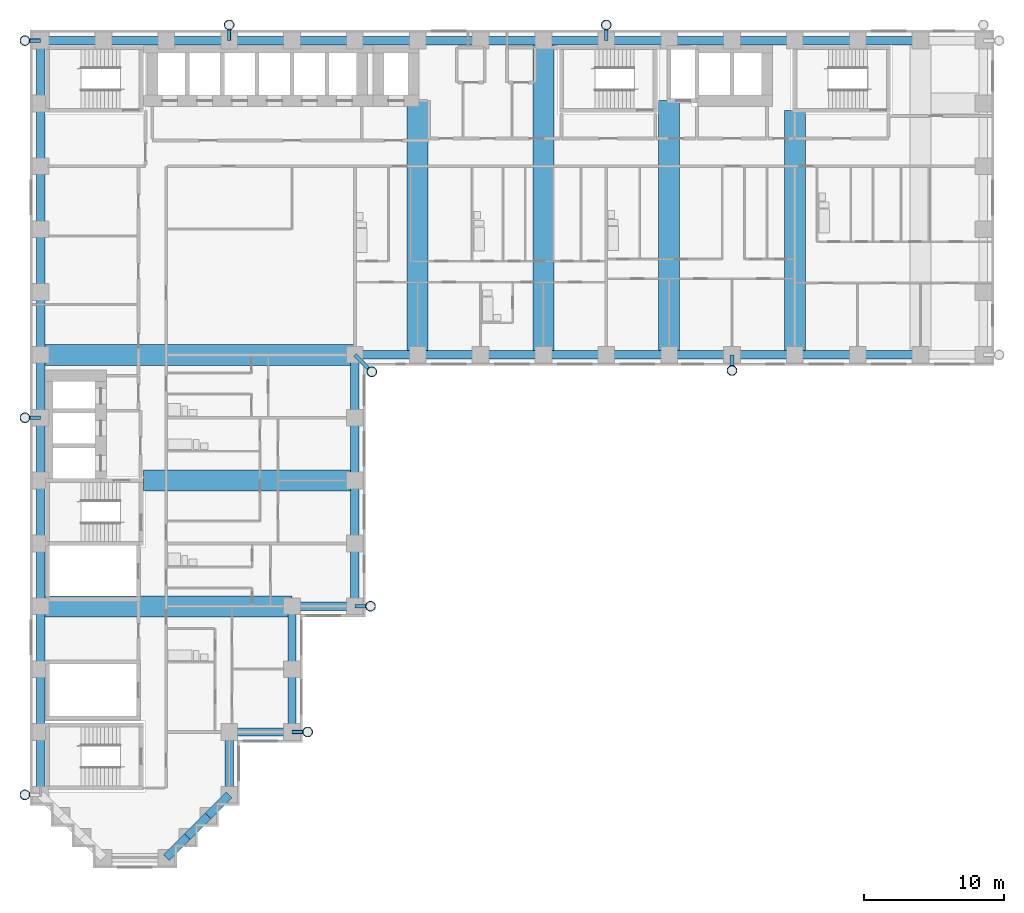
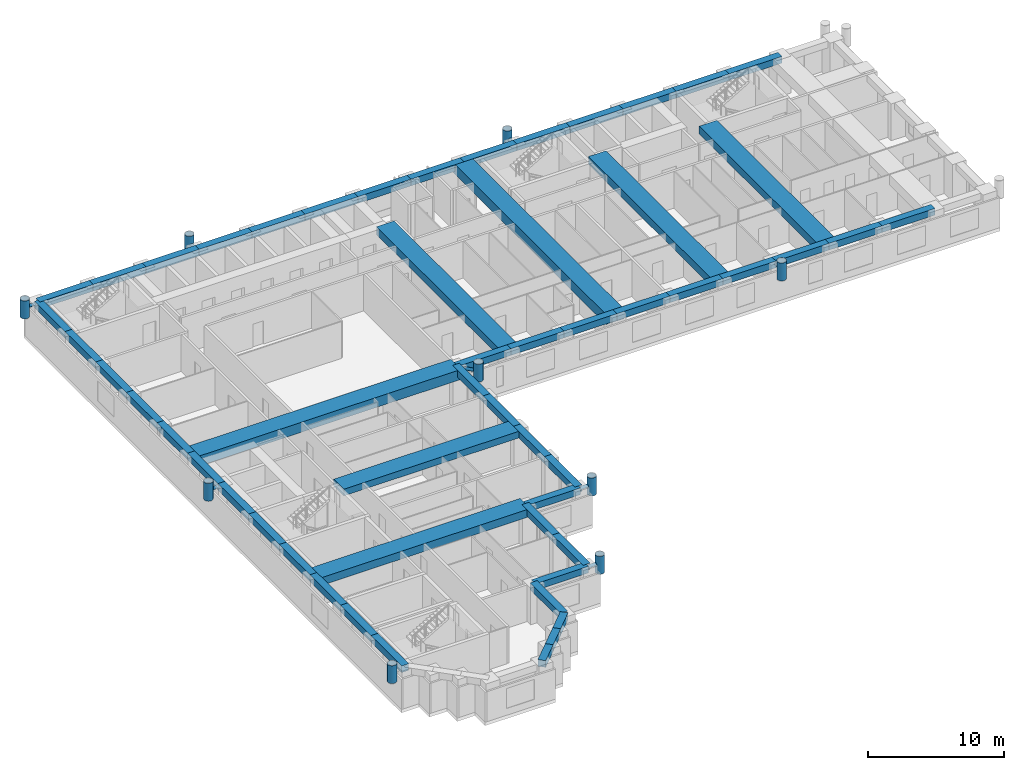
# One storey, part 2 of 14: 54 beams, 17 members.
"""IFC4 building model written with IfcOpenShell, lengths in metres."""

from ifc_helpers import new_model, si_unit, direction, frame, origin, origin_2d, place, context, subcontext, project, spatial, rectangle, hollow_circle, extrude, material, material_profile, profile_set, type_object, element, save


model = new_model("IFC4")

# Units and contexts
model_context = context("Model", 3, precision=1e-05, world=origin(), true_north=direction((0.0, 1.0)))
body_context = subcontext(model_context, "Body", "Model", "MODEL_VIEW")
ifc_project = project(units=[si_unit("LENGTHUNIT", "METRE"), si_unit("AREAUNIT", "SQUARE_METRE"), si_unit("VOLUMEUNIT", "CUBIC_METRE"), si_unit("PLANEANGLEUNIT", "RADIAN"), si_unit("MASSUNIT", "GRAM", prefix="KILO")], contexts=[model_context])

# Site, building, storey
site_placement = place(None, origin())
site = spatial("IfcSite", under=ifc_project, at=site_placement, CompositionType="ELEMENT")
building_placement = place(site_placement, origin())
building = spatial("IfcBuilding", under=site, at=building_placement, Name="Firuza Court", CompositionType="ELEMENT")
storey_placement = place(building_placement, frame((0.0, 0.0, 47.0)))
storey = spatial("IfcBuildingStorey", under=building, at=storey_placement, Name="L10", CompositionType="ELEMENT", Elevation=47.0)

# Beams
ifc_material_1 = material(Name="Concrete C40/50", Category="concrete")
ifc_material_profile_1 = material_profile(ifc_material_1, rectangle(XDim=1.5, YDim=0.60009765625, at=origin_2d()), Name="RC 1500x600")
ifc_profile_set_1 = profile_set([ifc_material_profile_1], Name="Concrete C40/50")
beam_type_1 = type_object("IfcBeamType", Name="Band beam RC 1500x600 C40/50", PredefinedType="BEAM", material=ifc_profile_set_1)
beam_1_placement = place(storey_placement, frame((22.5, 27.0, 3.0), z_axis=(-1.0, 0.0, 0.0), x_axis=(0.0, -1.0, 0.0)))
element("IfcBeam", 1, at=beam_1_placement, inside=storey, type_object=beam_type_1, Name="Band beam FB3 level L11", PredefinedType="BEAM", context=body_context, shape_type="SweptSolid", body=[
    extrude(rectangle(XDim=1.5, YDim=0.60009765625, at=origin_2d()), origin(), (0.0, 0.0, 1.0), 15.14990234375),
])
ifc_material_2 = material(Name="Concrete C40/50", Category="concrete")
ifc_material_profile_2 = material_profile(ifc_material_2, rectangle(XDim=1.5, YDim=0.699951171875, at=origin_2d()), Name="RC 1500x700")
ifc_profile_set_2 = profile_set([ifc_material_profile_2], Name="Concrete C40/50")
beam_type_2 = type_object("IfcBeamType", Name="Band beam RC 1500x700 C40/50", PredefinedType="BEAM", material=ifc_profile_set_2)
beam_2_placement = place(storey_placement, frame((0.0, 18.0, 2.949951171875), z_axis=(1.0, 0.0, 0.0), x_axis=(0.0, 1.0, 0.0)))
element("IfcBeam", 2, at=beam_2_placement, inside=storey, type_object=beam_type_2, Name="Band beam FB1 level L11", PredefinedType="BEAM", context=body_context, shape_type="SweptSolid", body=[
    extrude(rectangle(XDim=1.5, YDim=0.699951171875, at=origin_2d()), origin(), (0.0, 0.0, 1.0), 18.0),
])
for number, where, z_axis, x_axis, name in (
    (3, (27.0, 36.0, 2.949951171875), (0.0, 1.0, 0.0), (-1.0, 0.0, 0.0), "Band beam FB1 level L11"),
    (4, (45.0, 36.0, 2.949951171875), (0.0, 1.0, 0.0), (-1.0, 0.0, 0.0), "Band beam FB1 level L11"),
):
    element("IfcBeam", number, at=place(storey_placement, frame(where, z_axis=z_axis, x_axis=x_axis)), inside=storey, type_object=beam_type_2, Name=name, PredefinedType="BEAM", context=body_context, shape_type="SweptSolid", body=[
        extrude(rectangle(XDim=1.5, YDim=0.699951171875, at=origin_2d()), origin(), (0.0, 0.0, 1.0), 18.199951171875),
    ])
beam_3_placement = place(storey_placement, frame((54.0, 36.0, 2.949951171875), z_axis=(0.0, 1.0, 0.0), x_axis=(-1.0, 0.0, 0.0)))
element("IfcBeam", 5, at=beam_3_placement, inside=storey, type_object=beam_type_2, Name="Band beam FB1 level L11", PredefinedType="BEAM", context=body_context, shape_type="SweptSolid", body=[
    extrude(rectangle(XDim=1.5, YDim=0.699951171875, at=origin_2d()), origin(), (0.0, 0.0, 1.0), 17.5),
])
ifc_material_3 = material(Name="Concrete C40/50", Category="concrete")
ifc_material_profile_3 = material_profile(ifc_material_3, rectangle(XDim=1.5, YDim=0.89990234375, at=origin_2d()), Name="RC 1500x900")
ifc_profile_set_3 = profile_set([ifc_material_profile_3], Name="Concrete C40/50")
beam_type_3 = type_object("IfcBeamType", Name="Band beam RC 1500x900 C40/50", PredefinedType="BEAM", material=ifc_profile_set_3)
for number, where, z_axis, x_axis, name in (
    (6, (0.0, 36.0, 2.85009765625), (1.0, 0.0, 0.0), (0.0, 1.0, 0.0), "Band beam FB2 level L11"),
    (7, (36.0, 36.0, 2.85009765625), (0.0, 1.0, 0.0), (-1.0, 0.0, 0.0), "Band beam FB2 level L11"),
):
    element("IfcBeam", number, at=place(storey_placement, frame(where, z_axis=z_axis, x_axis=x_axis)), inside=storey, type_object=beam_type_3, Name=name, PredefinedType="BEAM", context=body_context, shape_type="SweptSolid", body=[
        extrude(rectangle(XDim=1.5, YDim=0.89990234375, at=origin_2d()), origin(), (0.0, 0.0, 1.0), 22.5),
    ])

# Members
ifc_material_4 = material(Name="Steel S355", Category="steel")
ifc_material_profile_4 = material_profile(ifc_material_4, hollow_circle(Radius=0.35546875, WallThickness=0.030029296875, at=origin_2d()), Name="CHS 711x30")
ifc_profile_set_4 = profile_set([ifc_material_profile_4], Name="Steel S355")
member_type_1 = type_object("IfcMemberType", Name="Diagrid node CHS 711x30 S355", PredefinedType="USERDEFINED", material=ifc_profile_set_4)
for number, where, z_axis, x_axis, name in (
    (8, (-1.1201171875, 4.5, 2.25), (0.0, 0.0, 1.0), (1.0, 0.0, 0.0), "Diagrid node level L10"),
    (9, (-1.1201171875, 31.5, 2.25), (0.0, 0.0, 1.0), (1.0, 0.0, 0.0), "Diagrid node level L10"),
    (10, (-1.1201171875, 58.5, 2.25), (0.0, 0.0, 1.0), (1.0, 0.0, 0.0), "Diagrid node level L10"),
    (11, (13.5, 59.6201171875, 2.25), (0.0, 0.0, 1.0), (1.0, 0.0, 0.0), "Diagrid node level L10"),
    (12, (19.1201171875, 9.0, 2.25), (0.0, 0.0, 1.0), (1.0, 0.0, 0.0), "Diagrid node level L10"),
    (13, (23.6201171875, 18.0, 2.25), (0.0, 0.0, 1.0), (1.0, 0.0, 0.0), "Diagrid node level L10"),
    (14, (23.7099609375, 34.7900390625, 2.25), (0.0, 0.0, 1.0), (1.0, 0.0, 0.0), "Diagrid node level L10"),
    (15, (40.5, 59.6201171875, 2.25), (0.0, 0.0, 1.0), (1.0, 0.0, 0.0), "Diagrid node level L10"),
    (16, (49.5, 34.8798828125, 2.25), (0.0, 0.0, 1.0), (1.0, 0.0, 0.0), "Diagrid node level L10"),
):
    element("IfcMember", number, at=place(storey_placement, frame(where, z_axis=z_axis, x_axis=x_axis)), inside=storey, type_object=member_type_1, Name=name, ObjectType="DIAGRID NODE", PredefinedType="USERDEFINED", context=body_context, shape_type="SweptSolid", body=[
        extrude(hollow_circle(Radius=0.35546875, WallThickness=0.030029296875, at=origin_2d()), origin(), (0.0, 0.0, 1.0), 1.60009765625),
    ])
ifc_material_5 = material(Name="Steel S355", Category="steel")
ifc_material_profile_5 = material_profile(ifc_material_5, hollow_circle(Radius=0.136474609375, WallThickness=0.012451171875, at=origin_2d()), Name="CHS 273x12.5")
ifc_profile_set_5 = profile_set([ifc_material_profile_5], Name="Steel S355")
member_type_2 = type_object("IfcMemberType", Name="Diagrid tie CHS 273x12.5 S355", PredefinedType="STRUT", material=ifc_profile_set_5)
for number, where, z_axis, x_axis, name in (
    (17, (0.0, 31.5, 3.050048828125), (-1.0, 0.0, 0.0), (0.0, -1.0, 0.0), "Diagrid tie level L11"),
    (18, (0.0, 58.5, 3.050048828125), (-1.0, 0.0, 0.0), (0.0, -1.0, 0.0), "Diagrid tie level L11"),
    (19, (13.5, 58.5, 3.050048828125), (0.0, 1.0, 0.0), (-1.0, 0.0, 0.0), "Diagrid tie level L11"),
    (20, (18.0, 9.0, 3.050048828125), (1.0, 0.0, 0.0), (0.0, 1.0, 0.0), "Diagrid tie level L11"),
    (21, (22.5, 18.0, 3.050048828125), (1.0, 0.0, 0.0), (0.0, 1.0, 0.0), "Diagrid tie level L11"),
):
    element("IfcMember", number, at=place(storey_placement, frame(where, z_axis=z_axis, x_axis=x_axis)), inside=storey, type_object=member_type_2, Name=name, PredefinedType="STRUT", context=body_context, shape_type="SweptSolid", body=[
        extrude(hollow_circle(Radius=0.136474609375, WallThickness=0.012451171875, at=origin_2d()), origin(), (0.0, 0.0, 1.0), 1.1201171875),
    ])
member_placement = place(storey_placement, frame((22.5, 36.0, 3.050048828125), z_axis=(0.707106781187, -0.707106781187, 0.0), x_axis=(0.707106781187, 0.707106781187, 0.0)))
element("IfcMember", 22, at=member_placement, inside=storey, type_object=member_type_2, Name="Diagrid tie level L11", PredefinedType="STRUT", context=body_context, shape_type="SweptSolid", body=[
    extrude(hollow_circle(Radius=0.136474609375, WallThickness=0.012451171875, at=origin_2d()), origin(), (0.0, 0.0, 1.0), 1.711181640625),
])
for number, where, z_axis, x_axis, name in (
    (23, (40.5, 58.5, 3.050048828125), (0.0, 1.0, 0.0), (-1.0, 0.0, 0.0), "Diagrid tie level L11"),
    (24, (49.5, 36.0, 3.050048828125), (0.0, -1.0, 0.0), (1.0, 0.0, 0.0), "Diagrid tie level L11"),
):
    element("IfcMember", number, at=place(storey_placement, frame(where, z_axis=z_axis, x_axis=x_axis)), inside=storey, type_object=member_type_2, Name=name, PredefinedType="STRUT", context=body_context, shape_type="SweptSolid", body=[
        extrude(hollow_circle(Radius=0.136474609375, WallThickness=0.012451171875, at=origin_2d()), origin(), (0.0, 0.0, 1.0), 1.1201171875),
    ])

# Beams
ifc_material_6 = material(Name="Concrete C40/50", Category="concrete")
ifc_material_profile_6 = material_profile(ifc_material_6, rectangle(XDim=0.60009765625, YDim=0.60009765625, at=origin_2d()), Name="RC 600x600")
ifc_profile_set_6 = profile_set([ifc_material_profile_6], Name="Concrete C40/50")
beam_type_4 = type_object("IfcBeamType", Name="Spandrel beam RC 600x600 C40/50", PredefinedType="BEAM", material=ifc_profile_set_6)
for number, where, z_axis, x_axis, name in (
    (25, (0.0, 9.0, 3.0), (0.0, -1.0, 0.0), (1.0, 0.0, 0.0), "Spandrel beam SP11 level L11"),
    (26, (0.0, 13.5, 3.0), (0.0, -1.0, 0.0), (1.0, 0.0, 0.0), "Spandrel beam SP11 level L11"),
    (27, (0.0, 18.0, 3.0), (0.0, -1.0, 0.0), (1.0, 0.0, 0.0), "Spandrel beam SP11 level L11"),
    (28, (0.0, 22.5, 3.0), (0.0, -1.0, 0.0), (1.0, 0.0, 0.0), "Spandrel beam SP11 level L11"),
    (29, (0.0, 27.0, 3.0), (0.0, -1.0, 0.0), (1.0, 0.0, 0.0), "Spandrel beam SP11 level L11"),
    (30, (0.0, 31.5, 3.0), (0.0, -1.0, 0.0), (1.0, 0.0, 0.0), "Spandrel beam SP11 level L11"),
    (31, (0.0, 36.0, 3.0), (0.0, -1.0, 0.0), (1.0, 0.0, 0.0), "Spandrel beam SP11 level L11"),
    (32, (0.0, 40.5, 3.0), (0.0, -1.0, 0.0), (1.0, 0.0, 0.0), "Spandrel beam SP11 level L11"),
    (33, (0.0, 45.0, 3.0), (0.0, -1.0, 0.0), (1.0, 0.0, 0.0), "Spandrel beam SP11 level L11"),
    (34, (0.0, 49.5, 3.0), (0.0, -1.0, 0.0), (1.0, 0.0, 0.0), "Spandrel beam SP11 level L11"),
    (35, (0.0, 54.0, 3.0), (0.0, -1.0, 0.0), (1.0, 0.0, 0.0), "Spandrel beam SP11 level L11"),
    (36, (0.0, 58.5, 3.0), (0.0, -1.0, 0.0), (1.0, 0.0, 0.0), "Spandrel beam SP11 level L11"),
    (37, (4.5, 58.5, 3.0), (-1.0, 0.0, 0.0), (0.0, -1.0, 0.0), "Spandrel beam SP11 level L11"),
):
    element("IfcBeam", number, at=place(storey_placement, frame(where, z_axis=z_axis, x_axis=x_axis)), inside=storey, type_object=beam_type_4, Name=name, PredefinedType="BEAM", context=body_context, shape_type="SweptSolid", body=[
        extrude(rectangle(XDim=0.60009765625, YDim=0.60009765625, at=origin_2d()), origin(), (0.0, 0.0, 1.0), 4.5),
    ])
beam_4_placement = place(storey_placement, frame((9.0, 0.0, 3.0), z_axis=(0.707106781187, 0.707106781187, 0.0), x_axis=(-0.707106781187, 0.707106781187, 0.0)))
element("IfcBeam", 38, at=beam_4_placement, inside=storey, type_object=beam_type_4, Name="Spandrel beam SP11 level L11", PredefinedType="BEAM", context=body_context, shape_type="SweptSolid", body=[
    extrude(rectangle(XDim=0.60009765625, YDim=0.60009765625, at=origin_2d()), origin(), (0.0, 0.0, 1.0), 2.121337890625),
])
beam_5_placement = place(storey_placement, frame((9.0, 58.5, 3.0), z_axis=(-1.0, 0.0, 0.0), x_axis=(0.0, -1.0, 0.0)))
element("IfcBeam", 39, at=beam_5_placement, inside=storey, type_object=beam_type_4, Name="Spandrel beam SP11 level L11", PredefinedType="BEAM", context=body_context, shape_type="SweptSolid", body=[
    extrude(rectangle(XDim=0.60009765625, YDim=0.60009765625, at=origin_2d()), origin(), (0.0, 0.0, 1.0), 4.5),
])
for number, where, z_axis, x_axis, name in (
    (40, (10.5, 1.5, 3.0), (0.707106781187, 0.707106781187, 0.0), (-0.707106781187, 0.707106781187, 0.0), "Spandrel beam SP11 level L11"),
    (41, (12.0, 3.0, 3.0), (0.707106781187, 0.707106781187, 0.0), (-0.707106781187, 0.707106781187, 0.0), "Spandrel beam SP11 level L11"),
):
    element("IfcBeam", number, at=place(storey_placement, frame(where, z_axis=z_axis, x_axis=x_axis)), inside=storey, type_object=beam_type_4, Name=name, PredefinedType="BEAM", context=body_context, shape_type="SweptSolid", body=[
        extrude(rectangle(XDim=0.60009765625, YDim=0.60009765625, at=origin_2d()), origin(), (0.0, 0.0, 1.0), 2.121337890625),
    ])
for number, where, z_axis, x_axis, name in (
    (42, (13.5, 4.5, 3.0), (0.0, 1.0, 0.0), (-1.0, 0.0, 0.0), "Spandrel beam SP11 level L11"),
    (43, (13.5, 9.0, 3.0), (1.0, 0.0, 0.0), (0.0, 1.0, 0.0), "Spandrel beam SP11 level L11"),
    (44, (13.5, 58.5, 3.0), (-1.0, 0.0, 0.0), (0.0, -1.0, 0.0), "Spandrel beam SP11 level L11"),
    (45, (18.0, 9.0, 3.0), (0.0, 1.0, 0.0), (-1.0, 0.0, 0.0), "Spandrel beam SP11 level L11"),
    (46, (18.0, 13.5, 3.0), (0.0, 1.0, 0.0), (-1.0, 0.0, 0.0), "Spandrel beam SP11 level L11"),
    (47, (18.0, 18.0, 3.0), (1.0, 0.0, 0.0), (0.0, 1.0, 0.0), "Spandrel beam SP11 level L11"),
    (48, (18.0, 58.5, 3.0), (-1.0, 0.0, 0.0), (0.0, -1.0, 0.0), "Spandrel beam SP11 level L11"),
    (49, (22.5, 18.0, 3.0), (0.0, 1.0, 0.0), (-1.0, 0.0, 0.0), "Spandrel beam SP11 level L11"),
    (50, (22.5, 22.5, 3.0), (0.0, 1.0, 0.0), (-1.0, 0.0, 0.0), "Spandrel beam SP11 level L11"),
    (51, (22.5, 27.0, 3.0), (0.0, 1.0, 0.0), (-1.0, 0.0, 0.0), "Spandrel beam SP11 level L11"),
    (52, (22.5, 31.5, 3.0), (0.0, 1.0, 0.0), (-1.0, 0.0, 0.0), "Spandrel beam SP11 level L11"),
    (53, (22.5, 36.0, 3.0), (1.0, 0.0, 0.0), (0.0, 1.0, 0.0), "Spandrel beam SP11 level L11"),
    (54, (22.5, 58.5, 3.0), (-1.0, 0.0, 0.0), (0.0, -1.0, 0.0), "Spandrel beam SP11 level L11"),
    (55, (27.0, 36.0, 3.0), (1.0, 0.0, 0.0), (0.0, 1.0, 0.0), "Spandrel beam SP11 level L11"),
    (56, (27.0, 58.5, 3.0), (-1.0, 0.0, 0.0), (0.0, -1.0, 0.0), "Spandrel beam SP11 level L11"),
    (57, (31.5, 36.0, 3.0), (1.0, 0.0, 0.0), (0.0, 1.0, 0.0), "Spandrel beam SP11 level L11"),
    (58, (31.5, 58.5, 3.0), (-1.0, 0.0, 0.0), (0.0, -1.0, 0.0), "Spandrel beam SP11 level L11"),
    (59, (36.0, 36.0, 3.0), (1.0, 0.0, 0.0), (0.0, 1.0, 0.0), "Spandrel beam SP11 level L11"),
    (60, (36.0, 58.5, 3.0), (-1.0, 0.0, 0.0), (0.0, -1.0, 0.0), "Spandrel beam SP11 level L11"),
    (61, (40.5, 36.0, 3.0), (1.0, 0.0, 0.0), (0.0, 1.0, 0.0), "Spandrel beam SP11 level L11"),
    (62, (40.5, 58.5, 3.0), (-1.0, 0.0, 0.0), (0.0, -1.0, 0.0), "Spandrel beam SP11 level L11"),
    (63, (45.0, 36.0, 3.0), (1.0, 0.0, 0.0), (0.0, 1.0, 0.0), "Spandrel beam SP11 level L11"),
    (64, (45.0, 58.5, 3.0), (-1.0, 0.0, 0.0), (0.0, -1.0, 0.0), "Spandrel beam SP11 level L11"),
    (65, (49.5, 36.0, 3.0), (1.0, 0.0, 0.0), (0.0, 1.0, 0.0), "Spandrel beam SP11 level L11"),
    (66, (49.5, 58.5, 3.0), (-1.0, 0.0, 0.0), (0.0, -1.0, 0.0), "Spandrel beam SP11 level L11"),
    (67, (54.0, 36.0, 3.0), (1.0, 0.0, 0.0), (0.0, 1.0, 0.0), "Spandrel beam SP11 level L11"),
    (68, (54.0, 58.5, 3.0), (-1.0, 0.0, 0.0), (0.0, -1.0, 0.0), "Spandrel beam SP11 level L11"),
    (69, (58.5, 36.0, 3.0), (1.0, 0.0, 0.0), (0.0, 1.0, 0.0), "Spandrel beam SP11 level L11"),
    (70, (58.5, 58.5, 3.0), (-1.0, 0.0, 0.0), (0.0, -1.0, 0.0), "Spandrel beam SP11 level L11"),
    (71, (63.0, 58.5, 3.0), (-1.0, 0.0, 0.0), (0.0, -1.0, 0.0), "Spandrel beam SP11 level L11"),
):
    element("IfcBeam", number, at=place(storey_placement, frame(where, z_axis=z_axis, x_axis=x_axis)), inside=storey, type_object=beam_type_4, Name=name, PredefinedType="BEAM", context=body_context, shape_type="SweptSolid", body=[
        extrude(rectangle(XDim=0.60009765625, YDim=0.60009765625, at=origin_2d()), origin(), (0.0, 0.0, 1.0), 4.5),
    ])

save(model, "model.ifc")
